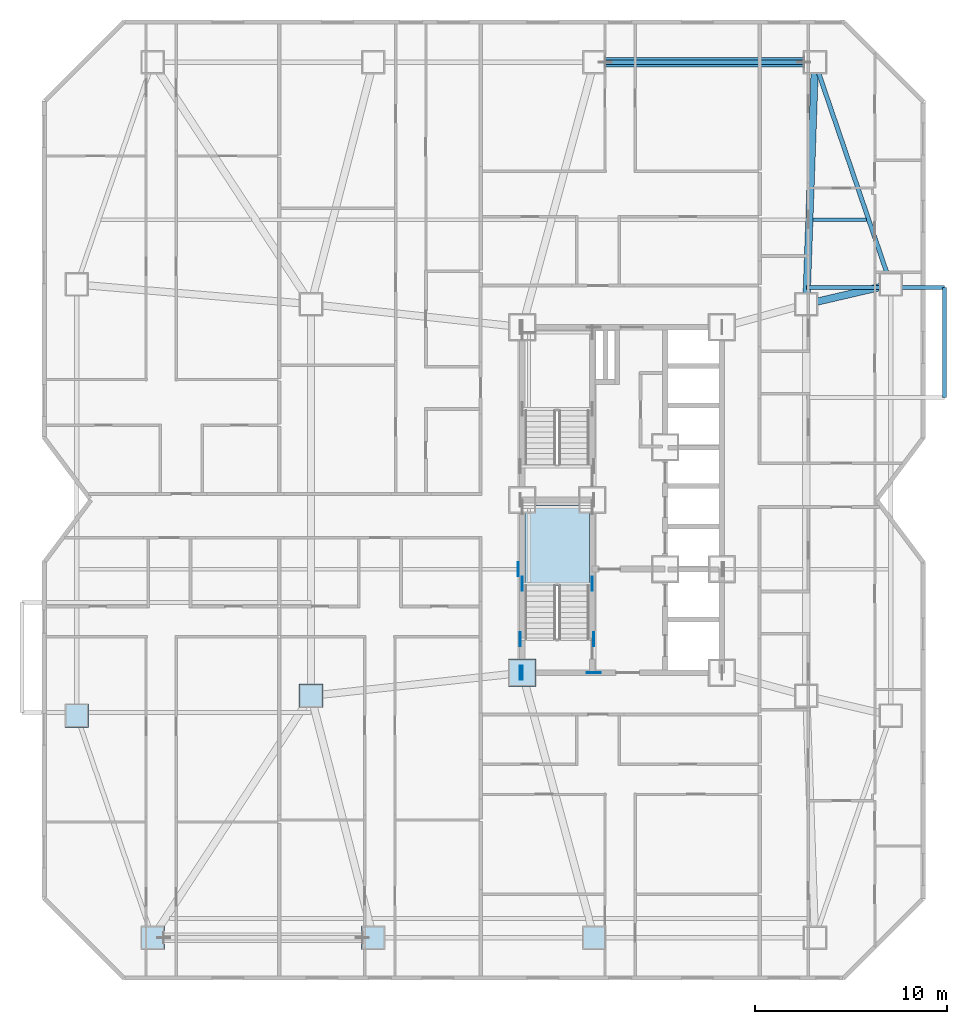
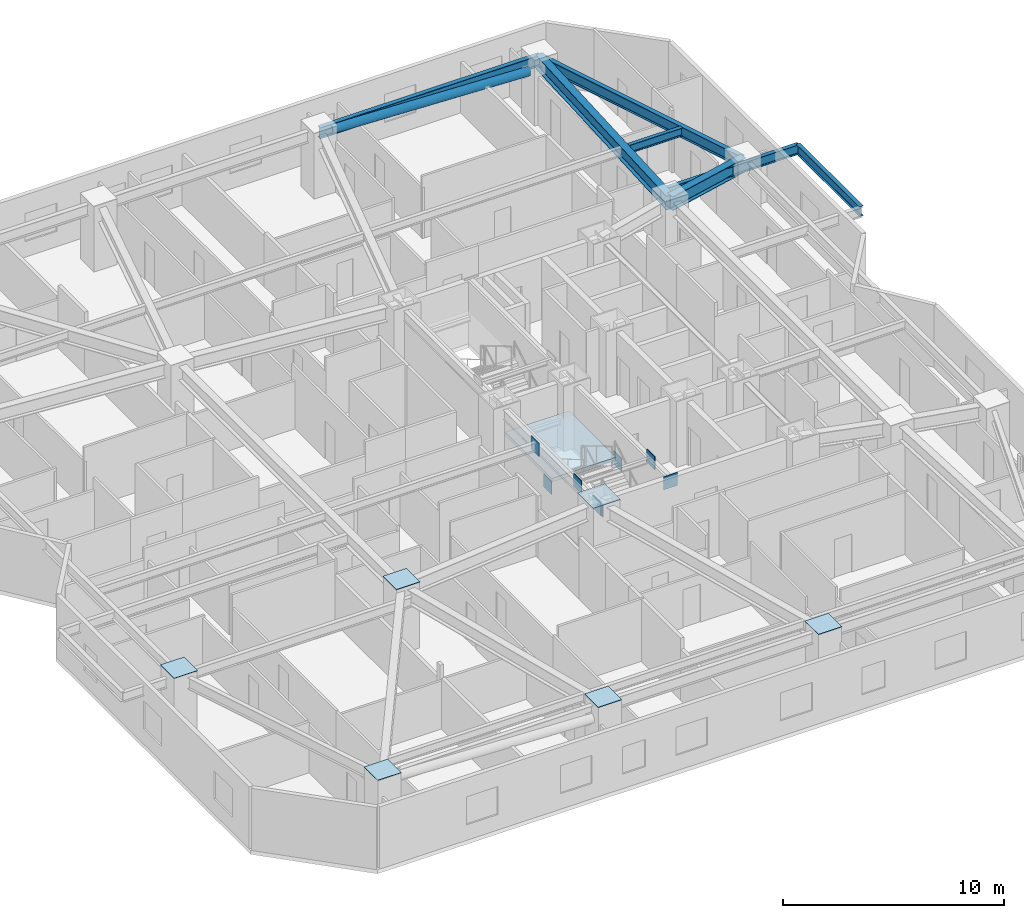
# One storey, part 2 of 14: 14 plates, 7 beams, 1 member, 1 slab, 1 element without a shape of its own.
"""IFC4 building model written with IfcOpenShell, lengths in metres."""

from ifc_helpers import new_model, si_unit, direction, frame, origin, origin_2d, place, context, subcontext, project, spatial, polyline, rectangle, hollow_circle, i_section, outline, extrude, material, layer, layer_set, material_profile, profile_set, type_object, element, aggregate, save


model = new_model("IFC4")

# Units and contexts
model_context = context("Model", 3, precision=1e-05, world=origin(), true_north=direction((0.0, 1.0)))
body_context = subcontext(model_context, "Body", "Model", "MODEL_VIEW")
ifc_project = project(units=[si_unit("LENGTHUNIT", "METRE"), si_unit("AREAUNIT", "SQUARE_METRE"), si_unit("VOLUMEUNIT", "CUBIC_METRE"), si_unit("PLANEANGLEUNIT", "RADIAN"), si_unit("MASSUNIT", "GRAM", prefix="KILO")], contexts=[model_context])

# Site, building, storey
site_placement = place(None, origin())
site = spatial("IfcSite", under=ifc_project, at=site_placement, CompositionType="ELEMENT")
building_placement = place(site_placement, origin())
building = spatial("IfcBuilding", under=site, at=building_placement, Name="Khamvora Tower", CompositionType="ELEMENT")
storey_placement = place(building_placement, frame((0.0, 0.0, 40.60009765625)))
storey = spatial("IfcBuildingStorey", under=building, at=storey_placement, Name="L09", CompositionType="ELEMENT", Elevation=40.60009765625)

# Beams
ifc_material_1 = material(Name="Steel S355", Category="steel")
ifc_material_profile_1 = material_profile(ifc_material_1, i_section(OverallWidth=0.19189453125, OverallDepth=0.462890625, WebThickness=0.010986328125, FlangeThickness=0.01806640625, FilletRadius=0.011962890625, at=origin_2d()), Name="W460x89")
ifc_profile_set_1 = profile_set([ifc_material_profile_1], Name="Steel S355")
beam_type_1 = type_object("IfcBeamType", Name="BM-JS-W460x89", PredefinedType="JOIST", material=ifc_profile_set_1)
beam_1_placement = place(storey_placement, frame((44.14306640625, 42.60009765625, 3.198974609375), z_axis=(1.0, 0.0, 0.0), x_axis=(0.0, 1.0, 0.0)))
element("IfcBeam", 1, at=beam_1_placement, inside=storey, type_object=beam_type_1, Name="L09 secondary floor joist 12", PredefinedType="JOIST", context=body_context, shape_type="SweptSolid", body=[
    extrude(i_section(OverallWidth=0.19189453125, OverallDepth=0.462890625, WebThickness=0.010986328125, FlangeThickness=0.01806640625, FilletRadius=0.011962890625, at=origin_2d()), origin(), (0.0, 0.0, 1.0), 2.788818359375),
])
ifc_material_profile_2 = material_profile(ifc_material_1, i_section(OverallWidth=0.381103515625, OverallDepth=0.77294921875, WebThickness=0.01708984375, FlangeThickness=0.027099609375, FilletRadius=0.01806640625, at=origin_2d()), Name="W760x257")
ifc_profile_set_2 = profile_set([ifc_material_profile_2], Name="Steel S355")
beam_type_2 = type_object("IfcBeamType", Name="BM-PG-W760x257", PredefinedType="BEAM", material=ifc_profile_set_2)
beam_2_placement = place(storey_placement, frame((43.800048828125, 38.199951171875, 3.0439453125), z_axis=(0.035687386423, 0.999363002342, 0.0), x_axis=(-0.999363002342, 0.035687386423, 0.0)))
element("IfcBeam", 2, at=beam_2_placement, inside=storey, type_object=beam_type_2, Name="L09 primary floor girder N4", PredefinedType="BEAM", context=body_context, shape_type="SweptSolid", body=[
    extrude(i_section(OverallWidth=0.381103515625, OverallDepth=0.77294921875, WebThickness=0.01708984375, FlangeThickness=0.027099609375, FilletRadius=0.01806640625, at=origin_2d()), origin(), (0.0, 0.0, 1.0), 12.608154296875),
])
beam_3_placement = place(storey_placement, frame((43.800048828125, 38.199951171875, 3.0439453125), z_axis=(0.973914503503, 0.226915270237, 0.0), x_axis=(-0.226915270237, 0.973914503503, 0.0)))
element("IfcBeam", 3, at=beam_3_placement, inside=storey, type_object=beam_type_2, Name="L09 primary floor girder E2", PredefinedType="BEAM", context=body_context, shape_type="SweptSolid", body=[
    extrude(i_section(OverallWidth=0.381103515625, OverallDepth=0.77294921875, WebThickness=0.01708984375, FlangeThickness=0.027099609375, FilletRadius=0.01806640625, at=origin_2d()), origin(), (0.0, 0.0, 1.0), 4.517822265625),
])
ifc_material_profile_3 = material_profile(ifc_material_1, i_section(OverallWidth=0.208984375, OverallDepth=0.532958984375, WebThickness=0.010009765625, FlangeThickness=0.01611328125, FilletRadius=0.013916015625, at=origin_2d()), Name="W530x92")
ifc_profile_set_3 = profile_set([ifc_material_profile_3], Name="Steel S355")
beam_type_3 = type_object("IfcBeamType", Name="BM-SP-W530x92", PredefinedType="SPANDREL", material=ifc_profile_set_3)
beam_4_placement = place(storey_placement, frame((43.800048828125, 39.074951171875, 2.962890625), z_axis=(1.0, 0.0, 0.0), x_axis=(0.0, 1.0, 0.0)))
element("IfcBeam", 4, at=beam_4_placement, inside=storey, type_object=beam_type_3, Name="L09 continuous gallery cantilever girder L10-EL2-2", PredefinedType="SPANDREL", context=body_context, shape_type="SweptSolid", body=[
    extrude(i_section(OverallWidth=0.208984375, OverallDepth=0.532958984375, WebThickness=0.010009765625, FlangeThickness=0.01611328125, FilletRadius=0.013916015625, at=origin_2d()), origin(), (0.0, 0.0, 1.0), 7.18505859375),
])
beam_5_placement = place(storey_placement, frame((50.985107421875, 33.35009765625, 2.962890625), z_axis=(0.0, 1.0, 0.0), x_axis=(-1.0, 0.0, 0.0)))
element("IfcBeam", 5, at=beam_5_placement, inside=storey, type_object=beam_type_3, Name="L09 external gallery edge header beam L10-EL2", PredefinedType="SPANDREL", context=body_context, shape_type="SweptSolid", body=[
    extrude(i_section(OverallWidth=0.208984375, OverallDepth=0.532958984375, WebThickness=0.010009765625, FlangeThickness=0.01611328125, FilletRadius=0.013916015625, at=origin_2d()), origin(), (0.0, 0.0, 1.0), 5.724853515625),
])
ifc_material_profile_4 = material_profile(ifc_material_1, i_section(OverallWidth=0.22998046875, OverallDepth=0.616943359375, WebThickness=0.012939453125, FlangeThickness=0.02197265625, FilletRadius=0.013916015625, at=origin_2d()), Name="W610x140")
ifc_profile_set_4 = profile_set([ifc_material_profile_4], Name="Steel S355")
beam_type_4 = type_object("IfcBeamType", Name="BM-SP-W610x140", PredefinedType="SPANDREL", material=ifc_profile_set_4)
beam_6_placement = place(storey_placement, frame((48.199951171875, 39.22509765625, 3.120849609375), z_axis=(-0.322962893199, 0.946411628002, 0.0), x_axis=(-0.946411628002, -0.322962893199, 0.0)))
element("IfcBeam", 6, at=beam_6_placement, inside=storey, type_object=beam_type_4, Name="L09 perimeter spandrel beam E2-N4", PredefinedType="SPANDREL", context=body_context, shape_type="SweptSolid", body=[
    extrude(i_section(OverallWidth=0.22998046875, OverallDepth=0.616943359375, WebThickness=0.012939453125, FlangeThickness=0.02197265625, FilletRadius=0.013916015625, at=origin_2d()), origin(), (0.0, 0.0, 1.0), 12.23046875),
])
beam_7_placement = place(storey_placement, frame((44.25, 50.800048828125, 3.120849609375), z_axis=(-1.0, 0.0, 0.0), x_axis=(0.0, -1.0, 0.0)))
element("IfcBeam", 7, at=beam_7_placement, inside=storey, type_object=beam_type_4, Name="L09 perimeter spandrel beam N4-N3", PredefinedType="SPANDREL", context=body_context, shape_type="SweptSolid", body=[
    extrude(i_section(OverallWidth=0.22998046875, OverallDepth=0.616943359375, WebThickness=0.012939453125, FlangeThickness=0.02197265625, FilletRadius=0.013916015625, at=origin_2d()), origin(), (0.0, 0.0, 1.0), 11.5),
])

# Member
ifc_material_2 = material(Name="Steel S460", Category="steel")
ifc_material_profile_5 = material_profile(ifc_material_2, hollow_circle(Radius=0.25390625, WallThickness=0.02490234375, at=origin_2d()), Name="CHS508x25")
ifc_profile_set_5 = profile_set([ifc_material_profile_5], Name="Steel S460")
member_type = type_object("IfcMemberType", Name="MEM-BR-CHS508", PredefinedType="BRACE", material=ifc_profile_set_5)
member_placement = place(storey_placement, frame((43.669921875, 50.800048828125, 2.701904296875), z_axis=(-0.999263820948, 0.0, 0.038364256065), x_axis=(0.0, -1.0, 0.0)))
element("IfcMember", 8, at=member_placement, inside=storey, type_object=member_type, Name="L09 perimeter wind brace 2", PredefinedType="BRACE", context=body_context, shape_type="SweptSolid", body=[
    extrude(hollow_circle(Radius=0.25390625, WallThickness=0.02490234375, at=origin_2d()), origin(), (0.0, 0.0, 1.0), 10.347412109375),
])

# Plates
ifc_layer_1 = layer(ifc_material_1, 0.02490234375)
ifc_layer_set_1 = layer_set([ifc_layer_1], Name="Steel S355")
plate_type_1 = type_object("IfcPlateType", Name="PL-CAP-25", PredefinedType="SHEET", material=ifc_layer_set_1)
plate_1_placement = place(storey_placement, frame((29.0, 19.0, 3.62451171875), z_axis=(0.0, 0.0, 1.0), x_axis=(1.0, 0.0, 0.0)))
element("IfcPlate", 9, at=plate_1_placement, inside=storey, type_object=plate_type_1, Name="L09 hollow section steel end cap plate 0001", PredefinedType="SHEET", context=body_context, shape_type="SweptSolid", body=[
    extrude(rectangle(XDim=1.429931640625, YDim=1.429931640625, at=origin_2d()), origin(), (0.0, 0.0, 1.0), 0.02490234375),
])
for number, where, z_axis, x_axis, name in (
    (10, (9.75, 5.199951171875, 3.62451171875), (0.0, 0.0, 1.0), (1.0, 0.0, 0.0), "L09 hollow section steel end cap plate 0081"),
    (11, (21.25, 5.199951171875, 3.62451171875), (0.0, 0.0, 1.0), (1.0, 0.0, 0.0), "L09 hollow section steel end cap plate 0085"),
    (12, (32.75, 5.199951171875, 3.62451171875), (0.0, 0.0, 1.0), (1.0, 0.0, 0.0), "L09 hollow section steel end cap plate 0089"),
    (13, (5.800048828125, 16.77001953125, 3.62451171875), (0.0, 0.0, 1.0), (1.0, 0.0, 0.0), "L09 hollow section steel end cap plate 0113"),
    (14, (18.0, 17.800048828125, 3.62451171875), (0.0, 0.0, 1.0), (1.0, 0.0, 0.0), "L09 hollow section steel end cap plate 0129"),
):
    element("IfcPlate", number, at=place(storey_placement, frame(where, z_axis=z_axis, x_axis=x_axis)), inside=storey, type_object=plate_type_1, Name=name, PredefinedType="SHEET", context=body_context, shape_type="SweptSolid", body=[
        extrude(rectangle(XDim=1.22998046875, YDim=1.22998046875, at=origin_2d()), origin(), (0.0, 0.0, 1.0), 0.02490234375),
    ])
ifc_layer_2 = layer(ifc_material_2, 0.034912109375)
ifc_layer_set_2 = layer_set([ifc_layer_2], Name="Steel S460")
plate_type_2 = type_object("IfcPlateType", Name="PL-EMB-35", PredefinedType="SHEET", material=ifc_layer_set_2)
for number, where, z_axis, x_axis, name in (
    (15, (29.0, 23.635009765625, 1.1337890625), (0.0, 0.0, 1.0), (1.0, 0.0, 0.0), "L09 core shear wall cast-in embed plate 0282"),
    (16, (32.64990234375, 23.635009765625, 1.1337890625), (0.0, 0.0, 1.0), (1.0, 0.0, 0.0), "L09 core shear wall cast-in embed plate 0283"),
    (17, (29.0, 19.0, 2.68408203125), (0.0, 0.0, 1.0), (1.0, 0.0, 0.0), "L09 core shear wall cast-in embed plate 0291"),
    (18, (28.89990234375, 19.0, 2.8037109375), (0.0, 0.0, 1.0), (1.0, 0.0, 0.0), "L09 core shear wall cast-in embed plate 0295"),
):
    element("IfcPlate", number, at=place(storey_placement, frame(where, z_axis=z_axis, x_axis=x_axis)), inside=storey, type_object=plate_type_2, Name=name, PredefinedType="SHEET", context=body_context, shape_type="SweptSolid", body=[
        extrude(rectangle(XDim=0.034912109375, YDim=0.719970703125, at=origin_2d()), origin(), (0.0, 0.0, 1.0), 0.719970703125),
    ])
plate_2_placement = place(storey_placement, frame((32.72998046875, 19.0, 2.8037109375), z_axis=(0.0, 0.0, 1.0), x_axis=(1.0, 0.0, 0.0)))
element("IfcPlate", 19, at=plate_2_placement, inside=storey, type_object=plate_type_2, Name="L09 core shear wall cast-in embed plate 0298", PredefinedType="SHEET", context=body_context, shape_type="SweptSolid", body=[
    extrude(rectangle(XDim=0.719970703125, YDim=0.034912109375, at=origin_2d()), origin(), (0.0, 0.0, 1.0), 0.719970703125),
])
for number, where, z_axis, x_axis, name in (
    (20, (28.89990234375, 20.75, 2.94384765625), (0.0, 0.0, 1.0), (1.0, 0.0, 0.0), "L09 core shear wall cast-in embed plate 0304"),
    (21, (32.72998046875, 20.75, 2.94384765625), (0.0, 0.0, 1.0), (1.0, 0.0, 0.0), "L09 core shear wall cast-in embed plate 0305"),
    (22, (28.800048828125, 24.39990234375, 2.8388671875), (0.0, 0.0, 1.0), (1.0, 0.0, 0.0), "L09 core shear wall cast-in embed plate 0308"),
):
    element("IfcPlate", number, at=place(storey_placement, frame(where, z_axis=z_axis, x_axis=x_axis)), inside=storey, type_object=plate_type_2, Name=name, PredefinedType="SHEET", context=body_context, shape_type="SweptSolid", body=[
        extrude(rectangle(XDim=0.034912109375, YDim=0.719970703125, at=origin_2d()), origin(), (0.0, 0.0, 1.0), 0.719970703125),
    ])

# Stair, slab
ifc_material_3 = material(Name="Concrete C40/50", Category="concrete")
stair_type = type_object("IfcStairType", Name="STR-ST-01", PredefinedType="HALF_TURN_STAIR", material=ifc_material_3)
stair_placement = place(storey_placement, origin())
stair = element("IfcStair", 23, at=stair_placement, inside=storey, type_object=stair_type, Name="L09 South Tower Exit Stair ST-01", PredefinedType="HALF_TURN_STAIR")
ifc_layer_3 = layer(ifc_material_3, 0.199951171875)
ifc_layer_set_3 = layer_set([ifc_layer_3], Name="Concrete C40/50")
slab_type = type_object("IfcSlabType", Name="SLB-LND-200", PredefinedType="LANDING", material=ifc_layer_set_3)
slab_placement = place(storey_placement, frame((0.0, 0.0, 1.625)))
slab = element("IfcSlab", 24, at=slab_placement, type_object=slab_type, Name="ST-01 landing 1", PredefinedType="LANDING", context=body_context, shape_type="SweptSolid", body=[
    extrude(outline(polyline([(32.5, 23.514892578125), (32.5, 27.75), (29.14990234375, 27.75), (29.14990234375, 23.514892578125), (32.5, 23.514892578125)])), origin(), (0.0, 0.0, 1.0), 0.199951171875),
])
aggregate(stair, [slab])

save(model, "model.ifc")
